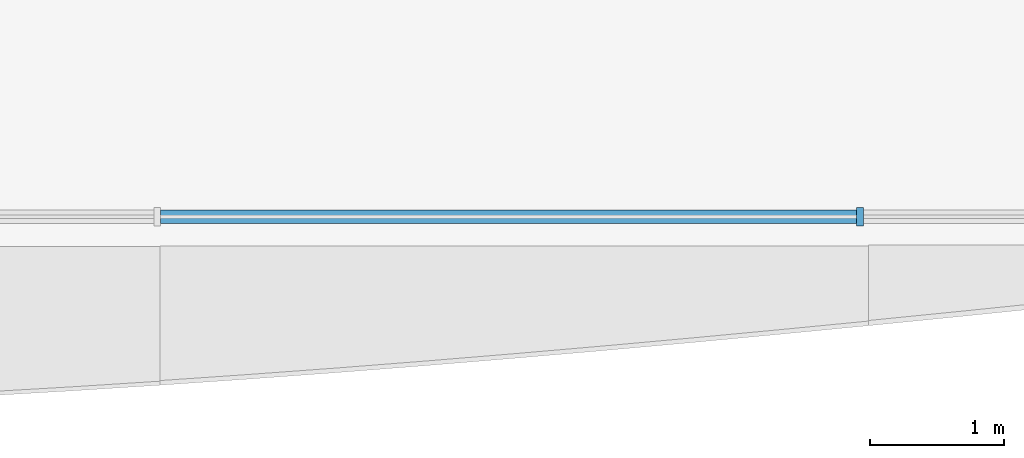
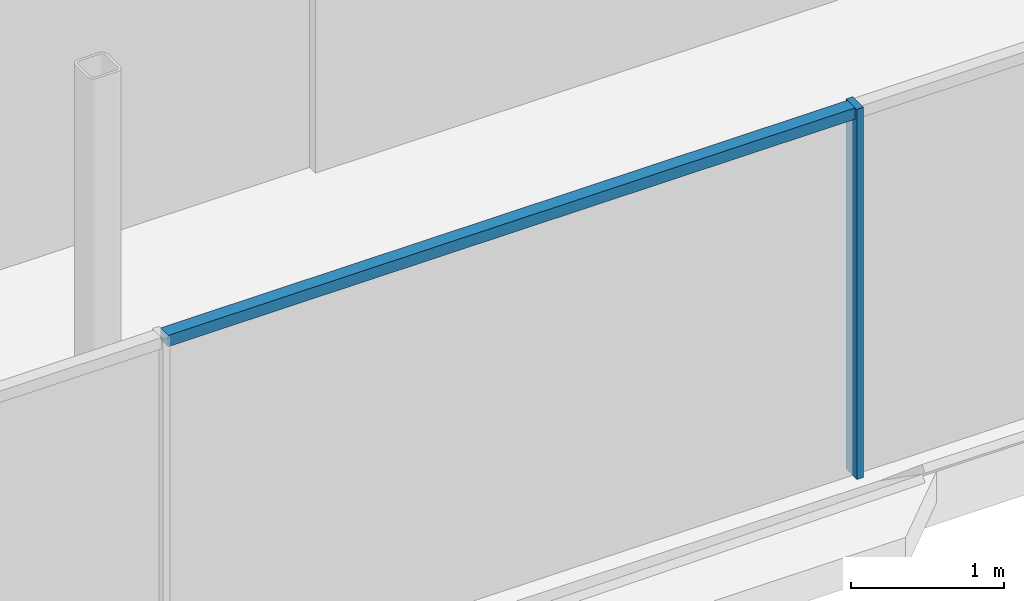
# One storey, part 4 of 17: 2 members, 1 element without a shape of its own.
"""IFC4 building model written with IfcOpenShell, lengths in metres."""

from ifc_helpers import new_model, si_unit, direction, frame, origin, origin_2d, place, context, subcontext, project, spatial, rectangle, extrude, material, material_profile, profile_set, type_object, element, aggregate, save


model = new_model("IFC4")

# Units and contexts
model_context = context("Model", 3, precision=1e-05, world=origin(), true_north=direction((0.0, 1.0)))
body_context = subcontext(model_context, "Body", "Model", "MODEL_VIEW")
ifc_project = project(units=[si_unit("LENGTHUNIT", "METRE"), si_unit("AREAUNIT", "SQUARE_METRE"), si_unit("VOLUMEUNIT", "CUBIC_METRE"), si_unit("PLANEANGLEUNIT", "RADIAN"), si_unit("MASSUNIT", "GRAM", prefix="KILO")], contexts=[model_context])

# Site, building, storey
site_placement = place(None, origin())
site = spatial("IfcSite", under=ifc_project, at=site_placement, CompositionType="ELEMENT")
building_placement = place(site_placement, origin())
building = spatial("IfcBuilding", under=site, at=building_placement, Name="Tskaro Facet Tower", CompositionType="ELEMENT")
storey_placement = place(building_placement, frame((0.0, 0.0, 259.5)))
storey = spatial("IfcBuildingStorey", under=building, at=storey_placement, Name="L68", CompositionType="ELEMENT", Elevation=259.5)

# Curtain wall, members
ifc_material = material(Name="Bronze anodised aluminium 6063-T6", Category="aluminium")
curtain_wall_type = type_object("IfcCurtainWallType", Name="Bronze residence curtain wall (FW3)", PredefinedType="NOTDEFINED", material=ifc_material)
curtain_wall_placement = place(storey_placement, origin())
curtain_wall = element("IfcCurtainWall", 1, at=curtain_wall_placement, inside=storey, type_object=curtain_wall_type, Name="FW3 south facet L68", PredefinedType="NOTDEFINED")
ifc_material_profile_1 = material_profile(ifc_material, rectangle(XDim=0.050048828125, YDim=0.139892578125, at=origin_2d()), Name="Mullion 50x140")
ifc_profile_set_1 = profile_set([ifc_material_profile_1], Name="Bronze anodised aluminium 6063-T6")
member_type_1 = type_object("IfcMemberType", Name="FW3 bronze mullion 50x140", PredefinedType="MULLION", material=ifc_profile_set_1)
member_1_placement = place(storey_placement, frame((10.842041015625, -16.79296875, 0.0), z_axis=(0.0, 0.0, 1.0), x_axis=(1.0, 0.0, 0.0)))
member_1 = element("IfcMember", 2, at=member_1_placement, type_object=member_type_1, Name="FW3 south mullion 4", PredefinedType="MULLION", context=body_context, shape_type="SweptSolid", body=[
    extrude(rectangle(XDim=0.050048828125, YDim=0.139892578125, at=origin_2d()), origin(), (0.0, 0.0, 1.0), 2.949951171875),
])
ifc_material_profile_2 = material_profile(ifc_material, rectangle(XDim=0.10009765625, YDim=0.090087890625, at=origin_2d()), Name="Transom 100x90")
ifc_profile_set_2 = profile_set([ifc_material_profile_2], Name="Bronze anodised aluminium 6063-T6")
member_type_2 = type_object("IfcMemberType", Name="FW3 bronze transom 100x90", PredefinedType="USERDEFINED", material=ifc_profile_set_2)
member_2_placement = place(storey_placement, frame((5.638916015625, -16.79296875, 2.905029296875), z_axis=(1.0, 0.0, 0.0), x_axis=(0.0, 1.0, 0.0)))
member_2 = element("IfcMember", 3, at=member_2_placement, type_object=member_type_2, Name="FW3 south transom 4.1", ObjectType="TRANSOM", PredefinedType="USERDEFINED", context=body_context, shape_type="SweptSolid", body=[
    extrude(rectangle(XDim=0.10009765625, YDim=0.090087890625, at=origin_2d()), origin(), (0.0, 0.0, 1.0), 5.177978515625),
])
aggregate(curtain_wall, [member_1, member_2])

save(model, "model.ifc")
